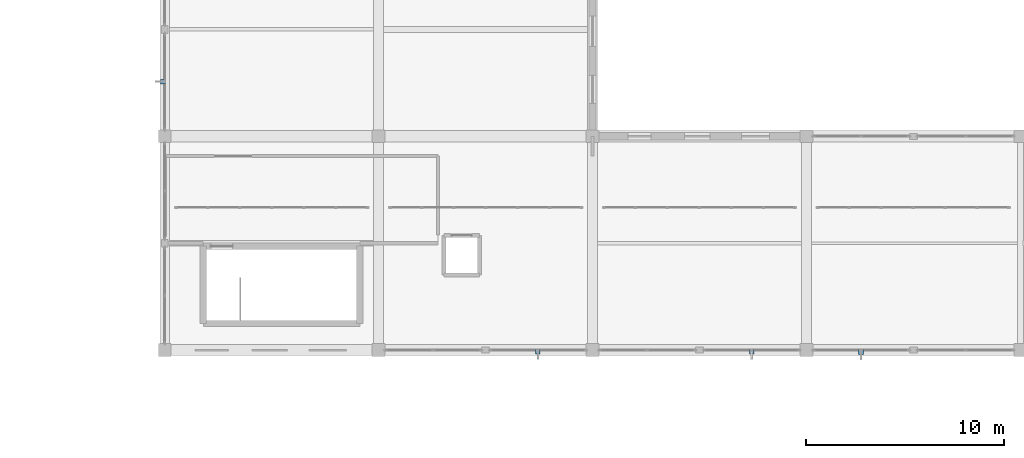
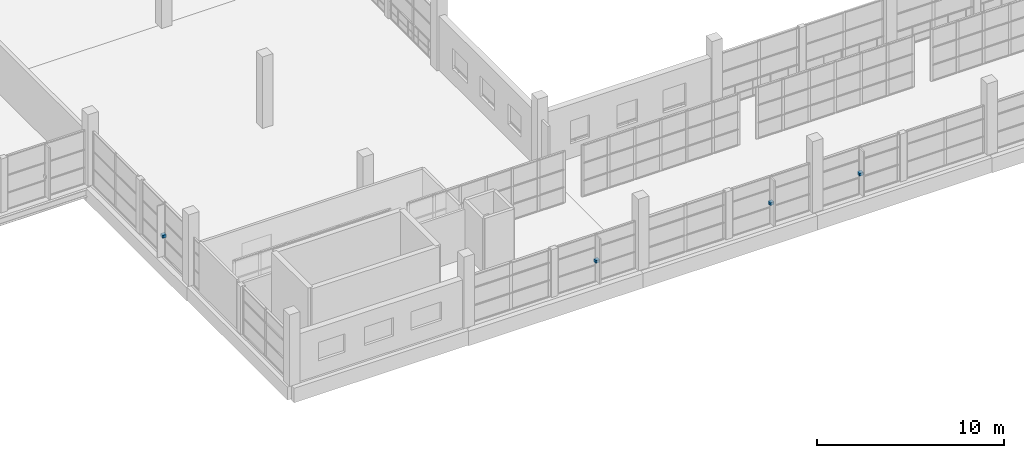
# One storey, part 122 of 142: 4 discrete accessories.
"""IFC4 building model written with IfcOpenShell, lengths in metres."""

import ifcopenshell
import ifcopenshell.guid

model = None  # the IFC model being written
_history = None  # IfcOwnerHistory: only IFC2X3 demands one
_inside = {}  # id of a spatial element -> (the spatial element, [elements in it])
_under = {}  # id of a project, library or spatial element -> (it, [spatial elements below it])
_declared = {}  # id of a project -> (the project, [libraries it declares])
_typed = {}  # id of a type object -> (the type object, [elements of that type])
_made_of = {}  # id of a material, layer set ... -> (it, [elements and type objects made of it])


def new_model(schema):
    """Start an empty IFC model of exactly this schema.

    Asked for "IFC4X3", IfcOpenShell would pick the latest addendum, in which some entities
    have other attributes; the version numbers below select the first issue.
    IFC2X3 requires an IfcOwnerHistory on every rooted entity: one is made here for all.
    """
    global model, _history
    if schema == "IFC4X3":
        model = ifcopenshell.file(schema_version=(4, 3, 0, 0))
    else:
        model = ifcopenshell.file(schema=schema)
    _inside.clear()
    _under.clear()
    _declared.clear()
    _typed.clear()
    _made_of.clear()
    _history = None
    if model.schema == "IFC2X3":
        org = make("IfcOrganization", Name="unknown")
        user = make(
            "IfcPersonAndOrganization",
            ThePerson=make("IfcPerson", FamilyName="unknown"),
            TheOrganization=org,
        )
        app = make(
            "IfcApplication",
            ApplicationDeveloper=org,
            Version="unknown",
            ApplicationFullName="unknown",
            ApplicationIdentifier="unknown",
        )
        _history = make(
            "IfcOwnerHistory",
            OwningUser=user,
            OwningApplication=app,
            ChangeAction="ADDED",
            CreationDate=0,
        )
    return model


def make(cls, **values):
    """One entity of the class cls with the attributes given. An attribute that is None is left unset."""
    return model.create_entity(
        cls, **{name: value for name, value in values.items() if value is not None}
    )


def rooted(cls, **values):
    """An entity with a GlobalId (a new one), such as an element, a storey or a relation."""
    return make(cls, GlobalId=ifcopenshell.guid.new(), OwnerHistory=_history, **values)


def si_unit(unit_type, name, prefix=None):
    """IfcSIUnit, for example si_unit("LENGTHUNIT", "METRE", prefix="MILLI")."""
    return make("IfcSIUnit", UnitType=unit_type, Prefix=prefix, Name=name)


def assignment(units):
    """IfcUnitAssignment: the units of a project."""
    return None if units is None else make("IfcUnitAssignment", Units=units)


def point(xyz):
    """IfcCartesianPoint."""
    return None if xyz is None else make("IfcCartesianPoint", Coordinates=xyz)


def direction(xyz):
    """IfcDirection."""
    return None if xyz is None else make("IfcDirection", DirectionRatios=xyz)


def frame(location, z_axis=None, x_axis=None):
    """IfcAxis2Placement3D, a coordinate frame: its origin and axes. An axis left out is left unset."""
    return make(
        "IfcAxis2Placement3D",
        Location=point(location),
        Axis=direction(z_axis),
        RefDirection=direction(x_axis),
    )


def frame_2d(location, x_axis=None):
    """IfcAxis2Placement2D, a coordinate frame in the plane: its origin and x axis."""
    return make(
        "IfcAxis2Placement2D", Location=point(location), RefDirection=direction(x_axis)
    )


def origin():
    """The frame at (0, 0, 0) with its axes left unset."""
    return frame((0.0, 0.0, 0.0))


def origin_2d():
    """The frame at (0, 0) in the plane with its x axis left unset."""
    return frame_2d((0.0, 0.0))


def place(relative_to, where):
    """IfcLocalPlacement: puts the frame where relative to a parent placement (None: the world)."""
    return make(
        "IfcLocalPlacement", PlacementRelTo=relative_to, RelativePlacement=where
    )


def context(
    kind, dimensions, precision=None, world=None, true_north=None, identifier=None
):
    """IfcGeometricRepresentationContext, for example the 3D "Model" context."""
    return make(
        "IfcGeometricRepresentationContext",
        ContextIdentifier=identifier,
        ContextType=kind,
        CoordinateSpaceDimension=dimensions,
        Precision=precision,
        WorldCoordinateSystem=world,
        TrueNorth=true_north,
    )


def subcontext(parent, identifier, kind, view, scale=None):
    """IfcGeometricRepresentationSubContext, for example "Body" below "Model"."""
    return make(
        "IfcGeometricRepresentationSubContext",
        ContextIdentifier=identifier,
        ContextType=kind,
        ParentContext=parent,
        TargetScale=scale,
        TargetView=view,
    )


def project(units=None, contexts=None):
    """IfcProject with its units and contexts."""
    return rooted(
        "IfcProject",
        Name="project",
        RepresentationContexts=contexts,
        UnitsInContext=assignment(units),
    )


def spatial(cls, under=None, at=None, **own):
    """A site, building, storey or space (cls), placed at a placement, below another one or the project."""
    s = rooted(cls, ObjectPlacement=at, **own)
    if under is not None:
        _under.setdefault(under.id(), (under, []))[1].append(s)
    return s


def profile(cls, at=None, kind="AREA", **sizes):
    """A parametric profile (cls). Its sizes go by their IFC names, for example OverallWidth=200.0."""
    return make(cls, ProfileType=kind, Position=at, **sizes)


def rectangle(**sizes):
    """IfcRectangleProfileDef."""
    return profile("IfcRectangleProfileDef", **sizes)


def extrude(swept, where, along, depth):
    """IfcExtrudedAreaSolid: the profile swept, set in the frame where, extruded along a direction by depth."""
    return make(
        "IfcExtrudedAreaSolid",
        SweptArea=swept,
        Position=where,
        ExtrudedDirection=direction(along),
        Depth=depth,
    )


def shape(context_of_items, identifier, shape_type, items):
    """IfcShapeRepresentation: the items that make up one representation, for example the "Body"."""
    return make(
        "IfcShapeRepresentation",
        ContextOfItems=context_of_items,
        RepresentationIdentifier=identifier,
        RepresentationType=shape_type,
        Items=items,
    )


def material(Name=None, Category=None):
    """IfcMaterial."""
    return make("IfcMaterial", Name=Name, Category=Category)


def made_of(thing, what):
    """Note that an element or type object is made of a material, layer set ...; save() writes the relation."""
    if what is not None:
        _made_of.setdefault(what.id(), (what, []))[1].append(thing)
    return thing


def type_object(cls, material=None, **own):
    """A type object (cls), such as IfcWallType, which elements share."""
    return made_of(rooted(cls, **own), material)


def element(
    cls,
    number,
    at=None,
    inside=None,
    cuts=None,
    type_object=None,
    material=None,
    context=None,
    identifier="Body",
    shape_type=None,
    held_by="IfcProductDefinitionShape",
    body=None,
    shapes=None,
    **own,
):
    """One element of the class cls, such as IfcWall. Its Tag is "e" and its number.

    at: its placement. inside: the storey or other place that contains it. cuts: it is an
    opening in that element (IfcRelVoidsElement). A single representation is given by context,
    identifier, shape_type and body (its items); several are given by shapes. held_by: the class
    of the entity that holds the representations. save() writes the other relations.
    """
    e = rooted(cls, Tag="e%d" % number, ObjectPlacement=at, **own)
    if body is not None:
        shapes = [shape(context, identifier, shape_type, body)]
    if shapes is not None:
        e.Representation = make(held_by, Representations=shapes)
    if inside is not None:
        _inside.setdefault(inside.id(), (inside, []))[1].append(e)
    if cuts is not None:
        rooted(
            "IfcRelVoidsElement", RelatingBuildingElement=cuts, RelatedOpeningElement=e
        )
    if type_object is not None:
        _typed.setdefault(type_object.id(), (type_object, []))[1].append(e)
    return made_of(e, material)


def aggregate(whole, parts):
    """IfcRelAggregates: a whole, such as a stair, and the parts it consists of."""
    return rooted("IfcRelAggregates", RelatingObject=whole, RelatedObjects=parts)


def save(model, path):
    """Write the relations noted so far, then the file.

    IfcRelAggregates (storeys below a building ...), IfcRelContainedInSpatialStructure (elements
    in a storey), IfcRelDefinesByType, IfcRelAssociatesMaterial and IfcRelDeclares: one each for
    every whole, place, type object, material and project.
    """
    for whole, parts in _under.values():
        aggregate(whole, parts)
    for where, things in _inside.values():
        rooted(
            "IfcRelContainedInSpatialStructure",
            RelatedElements=things,
            RelatingStructure=where,
        )
    for kind, things in _typed.values():
        rooted("IfcRelDefinesByType", RelatedObjects=things, RelatingType=kind)
    for what, things in _made_of.values():
        rooted("IfcRelAssociatesMaterial", RelatedObjects=things, RelatingMaterial=what)
    for by, libraries in _declared.values():
        rooted("IfcRelDeclares", RelatingContext=by, RelatedDefinitions=libraries)
    model.write(path)


model = new_model("IFC4")

# Units and contexts
model_context = context("Model", 3, precision=1e-05, world=origin(), true_north=direction((0.0, 1.0)))
body_context = subcontext(model_context, "Body", "Model", "MODEL_VIEW")
ifc_project = project(units=[si_unit("LENGTHUNIT", "METRE"), si_unit("AREAUNIT", "SQUARE_METRE"), si_unit("VOLUMEUNIT", "CUBIC_METRE"), si_unit("PLANEANGLEUNIT", "RADIAN"), si_unit("MASSUNIT", "GRAM", prefix="KILO")], contexts=[model_context])

# Site, building, storey
site_placement = place(None, origin())
site = spatial("IfcSite", under=ifc_project, at=site_placement, CompositionType="ELEMENT")
building_placement = place(site_placement, origin())
building = spatial("IfcBuilding", under=site, at=building_placement, Name="Zwinboog Wholesale Market", CompositionType="ELEMENT")
storey_placement = place(building_placement, frame((0.0, 0.0, 5.39990234375)))
storey = spatial("IfcBuildingStorey", under=building, at=storey_placement, Name="L01", CompositionType="ELEMENT", Elevation=5.39990234375)

# Discrete accessories
ifc_material = material(Name="Steel S355", Category="steel")
discrete_accessory_type = type_object("IfcDiscreteAccessoryType", Name="ACC-BRK-S355", PredefinedType="BRACKET", material=ifc_material)
for number, where, z_axis, x_axis, name in (
    (1, (64.7099609375, 56.760009765625, 1.31005859375), (0.0, 0.0, 1.0), (1.0, 0.0, 0.0), "BK-01 (ACC-FBRK-028)"),
    (2, (83.639892578125, 43.125, 1.31005859375), (0.0, 0.0, 1.0), (1.0, 0.0, 0.0), "BK-01 (ACC-FBRK-029)"),
    (3, (94.43994140625, 43.125, 1.31005859375), (0.0, 0.0, 1.0), (1.0, 0.0, 0.0), "BK-01 (ACC-FBRK-031)"),
    (4, (99.9599609375, 43.110107421875, 1.31005859375), (0.0, 0.0, 1.0), (1.0, 0.0, 0.0), "BK-01 (ACC-FBRK-032)"),
):
    element("IfcDiscreteAccessory", number, at=place(storey_placement, frame(where, z_axis=z_axis, x_axis=x_axis)), inside=storey, type_object=discrete_accessory_type, Name=name, PredefinedType="BRACKET", context=body_context, shape_type="SweptSolid", body=[
        extrude(rectangle(XDim=0.239990234375, YDim=0.239990234375, at=origin_2d()), origin(), (0.0, 0.0, 1.0), 0.179931640625),
    ])

save(model, "model.ifc")
